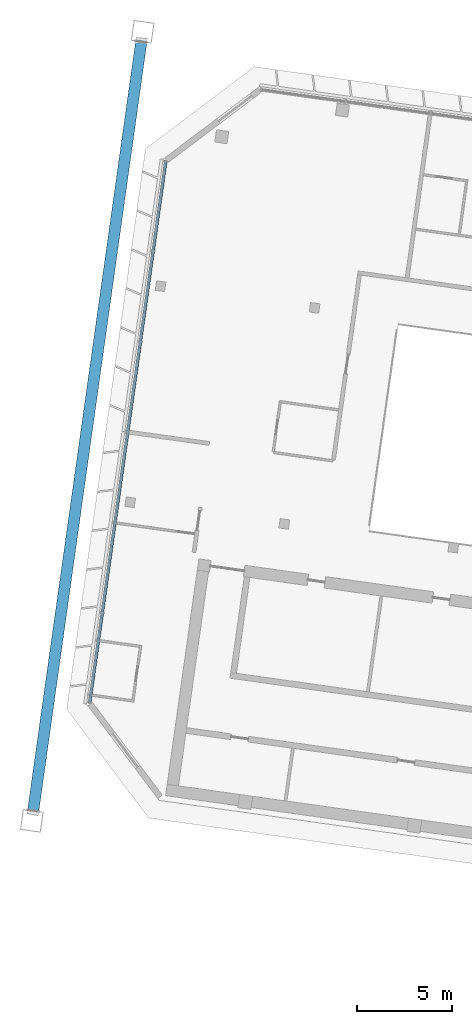
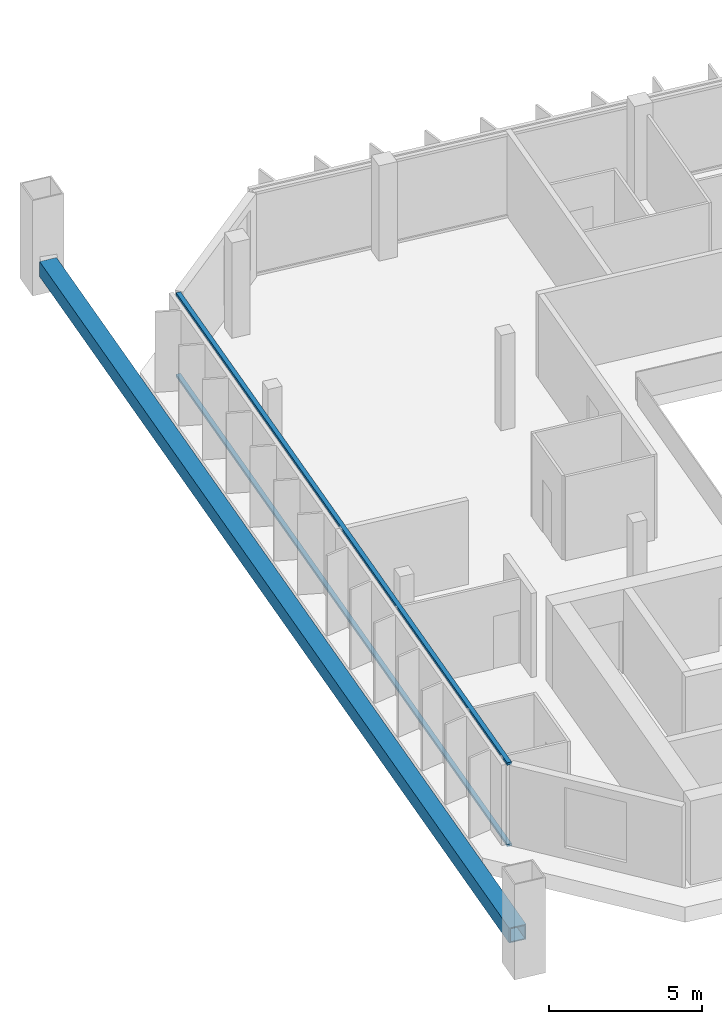
# One storey, part 3 of 26: 3 members, 1 element without a shape of its own.
"""IFC4 building model written with IfcOpenShell, lengths in metres."""

from ifc_helpers import new_model, si_unit, direction, frame, origin, origin_2d, place, context, subcontext, project, spatial, rectangle, hollow_rectangle, extrude, material, material_profile, profile_set, type_object, element, aggregate, save


model = new_model("IFC4")

# Units and contexts
model_context = context("Model", 3, precision=1e-05, world=origin(), true_north=direction((0.0, 1.0)))
body_context = subcontext(model_context, "Body", "Model", "MODEL_VIEW")
ifc_project = project(units=[si_unit("LENGTHUNIT", "METRE"), si_unit("AREAUNIT", "SQUARE_METRE"), si_unit("VOLUMEUNIT", "CUBIC_METRE"), si_unit("PLANEANGLEUNIT", "RADIAN"), si_unit("MASSUNIT", "GRAM", prefix="KILO")], contexts=[model_context])

# Site, building, storey
site_placement = place(None, origin())
site = spatial("IfcSite", under=ifc_project, at=site_placement, CompositionType="ELEMENT")
building_placement = place(site_placement, origin())
building = spatial("IfcBuilding", under=site, at=building_placement, Name="Mirante Cascada Hotel Towers", CompositionType="ELEMENT")
storey_placement = place(building_placement, frame((0.0, 0.0, 216.6)))
storey = spatial("IfcBuildingStorey", under=building, at=storey_placement, Name="L51", CompositionType="ELEMENT", Elevation=216.6)

# Member
ifc_material_1 = material(Name="Steel ASTM A572 Gr 50", Category="steel")
ifc_material_profile_1 = material_profile(ifc_material_1, hollow_rectangle(XDim=0.6, YDim=0.6, WallThickness=0.04, at=origin_2d()), Name="Box chord 600x600x40 ASTM A572 Gr 50")
ifc_profile_set_1 = profile_set([ifc_material_profile_1], Name="Steel ASTM A572 Gr 50")
member_type_1 = type_object("IfcMemberType", Name="Box chord 600x600x40 ASTM A572 Gr 50", PredefinedType="CHORD", material=ifc_profile_set_1)
member_1_placement = place(storey_placement, frame((-79.3915, -15.7297, 1.0), z_axis=(0.1391743, 0.9902679, 0.0), x_axis=(-0.9902679, 0.1391743, 0.0)))
element("IfcMember", 1, at=member_1_placement, inside=storey, type_object=member_type_1, Name="exochord T1 L51 1", PredefinedType="CHORD", context=body_context, shape_type="SweptSolid", body=[
    extrude(hollow_rectangle(XDim=0.6, YDim=0.6, WallThickness=0.04, at=origin_2d()), origin(), (0.0, 0.0, 1.0), 40.94),
])

# Curtain wall, members
ifc_material_2 = material(Name="Aluminium mullion and transom frame with clear laminated glass", Category="aluminium")
curtain_wall_type = type_object("IfcCurtainWallType", Name="End ribbon curtain wall ECW2", PredefinedType="NOTDEFINED", material=ifc_material_2)
curtain_wall_placement = place(storey_placement, origin())
curtain_wall = element("IfcCurtainWall", 2, at=curtain_wall_placement, inside=storey, type_object=curtain_wall_type, Name="Outer end wall T1 L51", PredefinedType="NOTDEFINED")
ifc_material_3 = material(Name="Anodised aluminium extrusion", Category="aluminium")
ifc_material_profile_2 = material_profile(ifc_material_3, rectangle(XDim=0.16, YDim=0.1, at=origin_2d()), Name="ECW2 TRANSOM 100x160")
ifc_profile_set_2 = profile_set([ifc_material_profile_2], Name="Anodised aluminium extrusion")
member_type_2 = type_object("IfcMemberType", Name="ECW2 transom 100x160", PredefinedType="USERDEFINED", material=ifc_profile_set_2)
member_2_placement = place(storey_placement, frame((-76.4229, -10.0554, 0.05), z_axis=(0.1391723, 0.9902682, 0.0), x_axis=(-0.9902682, 0.1391723, 0.0)))
member_2 = element("IfcMember", 3, at=member_2_placement, type_object=member_type_2, Name="ECW2 sill transom", ObjectType="TRANSOM", PredefinedType="USERDEFINED", context=body_context, shape_type="SweptSolid", body=[
    extrude(rectangle(XDim=0.16, YDim=0.1, at=origin_2d()), origin(), (0.0, 0.0, 1.0), 28.8757),
])
member_3_placement = place(storey_placement, frame((-76.4229, -10.0554, 3.3), z_axis=(0.1391723, 0.9902682, 0.0), x_axis=(-0.9902682, 0.1391723, 0.0)))
member_3 = element("IfcMember", 4, at=member_3_placement, type_object=member_type_2, Name="ECW2 head transom", ObjectType="TRANSOM", PredefinedType="USERDEFINED", context=body_context, shape_type="SweptSolid", body=[
    extrude(rectangle(XDim=0.16, YDim=0.1, at=origin_2d()), origin(), (0.0, 0.0, 1.0), 28.8757),
])
aggregate(curtain_wall, [member_2, member_3])

save(model, "model.ifc")
